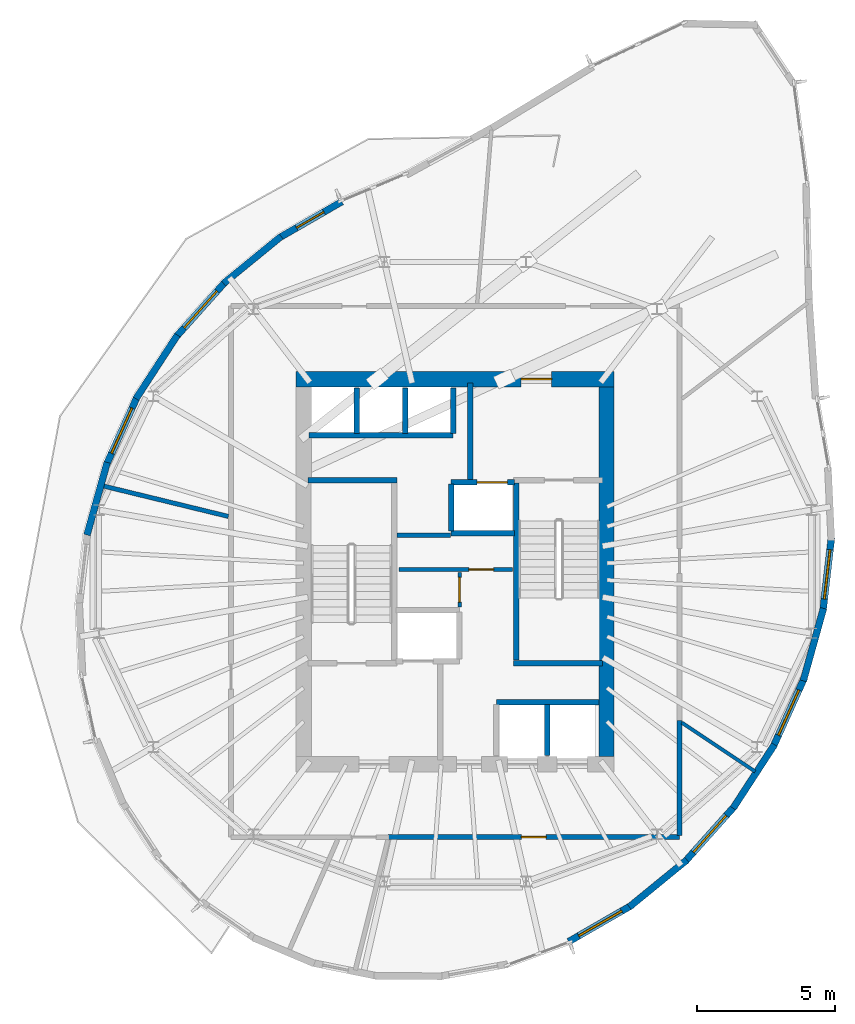
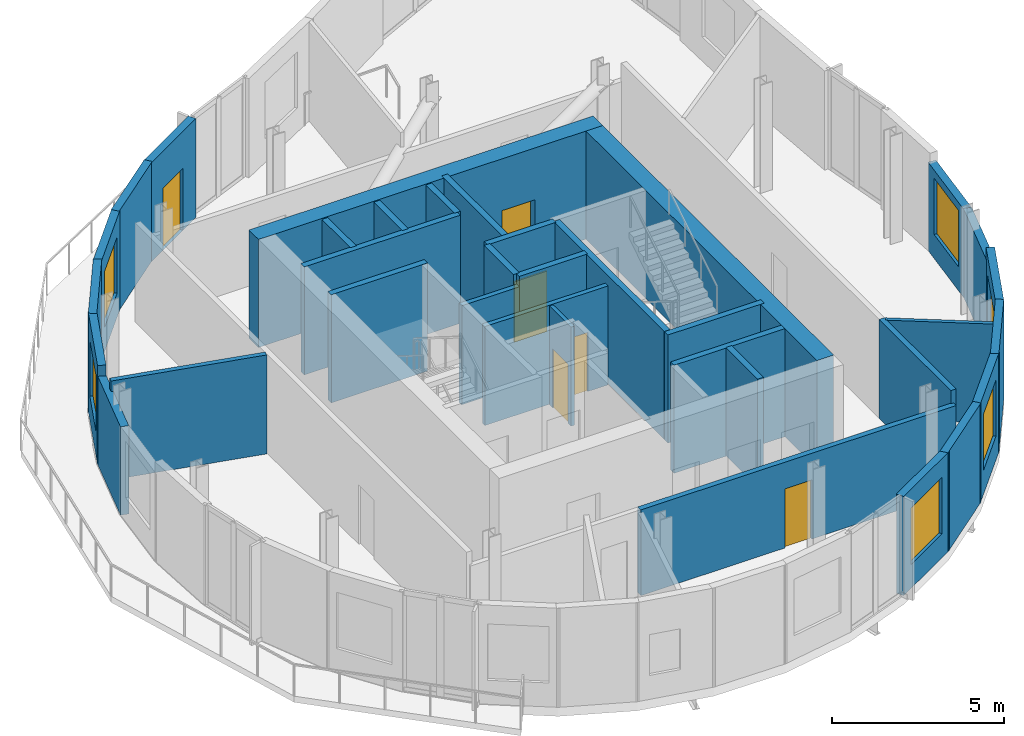
# One storey, part 5 of 8: 35 walls, 6 doors, 6 windows, 12 openings.
"""IFC4 building model written with IfcOpenShell, lengths in metres."""

from ifc_helpers import new_model, si_unit, direction, frame, frame_2d, origin, place, context, subcontext, project, spatial, rectangle, extrude, material, layer, layer_set, type_object, element, fill, save


model = new_model("IFC4")

# Units and contexts
model_context = context("Model", 3, precision=1e-05, world=origin(), true_north=direction((0.0, 1.0)))
body_context = subcontext(model_context, "Body", "Model", "MODEL_VIEW")
ifc_project = project(units=[si_unit("LENGTHUNIT", "METRE"), si_unit("AREAUNIT", "SQUARE_METRE"), si_unit("VOLUMEUNIT", "CUBIC_METRE"), si_unit("PLANEANGLEUNIT", "RADIAN"), si_unit("MASSUNIT", "GRAM", prefix="KILO")], contexts=[model_context])

# Site, building, storey
site_placement = place(None, origin())
site = spatial("IfcSite", under=ifc_project, at=site_placement, CompositionType="ELEMENT")
building_placement = place(site_placement, origin())
building = spatial("IfcBuilding", under=site, at=building_placement, Name="Veldorim Arch Residences", CompositionType="ELEMENT")
storey_placement = place(building_placement, frame((0.0, 0.0, 243.0400390625)))
storey = spatial("IfcBuildingStorey", under=building, at=storey_placement, Name="L73", CompositionType="ELEMENT", Elevation=243.0400390625)

# Wall, opening, door
ifc_material_1 = material(Name="Acoustic Gypsum Board", Category="gypsum")
ifc_layer_1 = layer(ifc_material_1, 0.125, Name="Acoustic Stud Room Partition Wall 125")
ifc_layer_set_1 = layer_set([ifc_layer_1], Name="Acoustic Gypsum Board")
wall_type_1 = type_object("IfcWallType", Name="Acoustic Stud Room Partition Wall 125", PredefinedType="PARTITIONING", material=ifc_layer_set_1)
wall_1_placement = place(storey_placement, frame((32.159912109375, 22.719970703125, 0.0), z_axis=(0.0, 0.0, 1.0), x_axis=(0.0, 1.0, 0.0)))
wall_1 = element("IfcWall", 1, at=wall_1_placement, inside=storey, type_object=wall_type_1, Name="L73 interior wall WL-CA-L73-2", PredefinedType="PARTITIONING", context=body_context, shape_type="SweptSolid", body=[
    extrude(rectangle(XDim=1.25, YDim=0.125, at=frame_2d((0.625, 0.0))), origin(), (0.0, 0.0, 1.0), 3.514892578125),
])
opening_1_placement = place(wall_1_placement, frame((0.169921875, 0.0, 0.0)))
opening_1 = element("IfcOpeningElement", 2, at=opening_1_placement, cuts=wall_1, Name="Opening DR-SVC", PredefinedType="OPENING", context=body_context, shape_type="SweptSolid", body=[
    extrude(rectangle(XDim=0.89990234375, YDim=2.10009765625, at=frame_2d((0.449951171875, 1.050048828125))), frame((0.0, 0.072509765625, 0.0), z_axis=(0.0, -1.0, 0.0), x_axis=(1.0, 0.0, 0.0)), (0.0, 0.0, 1.0), 0.14501953125),
])
ifc_material_2 = material(Name="Fire-Rated Steel", Category="steel")
door_type_1 = type_object("IfcDoorType", Name="Riser, Shelter & Plant Room Rated Steel Door 900x2100", OperationType="SINGLE_SWING_LEFT", PredefinedType="DOOR", material=ifc_material_2)
door_1_placement = place(opening_1_placement, origin())
door_1 = element("IfcDoor", 3, at=door_1_placement, inside=storey, type_object=door_type_1, Name="L73 interior door DR-L73-CA2", OperationType="SINGLE_SWING_RIGHT", OverallHeight=2.10009765625, OverallWidth=0.89990234375, PredefinedType="DOOR", context=body_context, shape_type="SweptSolid", body=[
    extrude(rectangle(XDim=0.89990234375, YDim=2.10009765625, at=frame_2d((0.449951171875, 1.050048828125))), frame((0.0, 0.02490234375, 0.0), z_axis=(0.0, -1.0, 0.0), x_axis=(1.0, 0.0, 0.0)), (0.0, 0.0, 1.0), 0.050048828125),
])
fill(opening_1, door_1)

# Wall
wall_2_placement = place(storey_placement, frame((40.233154296875, 18.51318359375, 0.0), z_axis=(0.0, 0.0, 1.0), x_axis=(0.832167333271, -0.554524597685, 0.0)))
element("IfcWall", 4, at=wall_2_placement, inside=storey, type_object=wall_type_1, Name="L73 interior wall WL-SKY-L73-012", PredefinedType="PARTITIONING", context=body_context, shape_type="SweptSolid", body=[
    extrude(rectangle(XDim=3.208740234375, YDim=0.125, at=frame_2d((1.6044921875, 0.0))), origin(), (0.0, 0.0, 1.0), 3.514892578125),
])

# Wall, opening, door
ifc_material_3 = material(Name="Lightweight Masonry Block & Gypsum", Category="masonry")
ifc_layer_2 = layer(ifc_material_3, 0.179931640625, Name="Compartment & Corridor Fire-Rated Party Wall 180")
ifc_layer_set_2 = layer_set([ifc_layer_2], Name="Lightweight Masonry Block & Gypsum")
wall_type_2 = type_object("IfcWallType", Name="Compartment & Corridor Fire-Rated Party Wall 180", PredefinedType="PARTITIONING", material=ifc_layer_set_2)
wall_3_placement = place(storey_placement, frame((40.14990234375, 14.35009765625, 0.0), z_axis=(0.0, 0.0, 1.0), x_axis=(-1.0, 0.0, 0.0)))
wall_3 = element("IfcWall", 5, at=wall_3_placement, inside=storey, type_object=wall_type_2, Name="L73 interior wall WL-SKY-L73-005", PredefinedType="PARTITIONING", context=body_context, shape_type="SweptSolid", body=[
    extrude(rectangle(XDim=10.5908203125, YDim=0.179931640625, at=frame_2d((5.29541015625, 0.0))), origin(), (0.0, 0.0, 1.0), 3.0478515625),
])
opening_2_placement = place(wall_3_placement, frame((4.845458984375, 0.0, 0.0)))
opening_2 = element("IfcOpeningElement", 6, at=opening_2_placement, cuts=wall_3, Name="Opening DR-INT", PredefinedType="OPENING", context=body_context, shape_type="SweptSolid", body=[
    extrude(rectangle(XDim=0.89990234375, YDim=2.10009765625, at=frame_2d((0.449951171875, 1.050048828125))), frame((0.0, 0.099853515625, 0.0), z_axis=(0.0, -1.0, 0.0), x_axis=(1.0, 0.0, 0.0)), (0.0, 0.0, 1.0), 0.199951171875),
])
ifc_material_4 = material(Name="Engineered Timber", Category="wood")
door_type_2 = type_object("IfcDoorType", Name="Apartment Internal Room Timber Door 900x2100", OperationType="SINGLE_SWING_LEFT", PredefinedType="DOOR", material=ifc_material_4)
door_2_placement = place(opening_2_placement, origin())
door_2 = element("IfcDoor", 7, at=door_2_placement, inside=storey, type_object=door_type_2, Name="L73 interior door DR-SKY-L73-004", OperationType="SINGLE_SWING_RIGHT", OverallHeight=2.10009765625, OverallWidth=0.89990234375, PredefinedType="DOOR", context=body_context, shape_type="SweptSolid", body=[
    extrude(rectangle(XDim=0.89990234375, YDim=2.10009765625, at=frame_2d((0.449951171875, 1.050048828125))), frame((0.0, 0.02490234375, 0.0), z_axis=(0.0, -1.0, 0.0), x_axis=(1.0, 0.0, 0.0)), (0.0, 0.0, 1.0), 0.050048828125),
])
fill(opening_2, door_2)

# Walls
wall_4_placement = place(storey_placement, frame((40.14990234375, 18.588623046875, 0.0), z_axis=(0.0, 0.0, 1.0), x_axis=(0.0, -1.0, 0.0)))
element("IfcWall", 8, at=wall_4_placement, inside=storey, type_object=wall_type_2, Name="L73 interior wall WL-SKY-L73-006", PredefinedType="PARTITIONING", context=body_context, shape_type="SweptSolid", body=[
    extrude(rectangle(XDim=4.1787109375, YDim=0.179931640625, at=frame_2d((2.08935546875, 0.0))), origin(), (0.0, 0.0, 1.0), 3.514892578125),
])
ifc_material_5 = material(Name="Concrete C50/60", Category="concrete")
ifc_layer_3 = layer(ifc_material_5, 0.199951171875, Name="Core Stair & Lift Shaft Enclosure Wall 200")
ifc_layer_set_3 = layer_set([ifc_layer_3], Name="Concrete C50/60")
wall_type_3 = type_object("IfcWallType", Name="Core Stair & Lift Shaft Enclosure Wall 200", PredefinedType="SHEAR", material=ifc_layer_set_3)
wall_5_placement = place(storey_placement, frame((26.64990234375, 27.330078125, 0.0), z_axis=(0.0, 0.0, 1.0), x_axis=(1.0, 0.0, 0.0)))
element("IfcWall", 9, at=wall_5_placement, inside=storey, type_object=wall_type_3, Name="L73 shaft wall WL-SHF-L73-ST1-N", PredefinedType="SHEAR", context=body_context, shape_type="SweptSolid", body=[
    extrude(rectangle(XDim=3.239990234375, YDim=0.199951171875, at=frame_2d((1.6201171875, 0.0))), origin(), (0.0, 0.0, 1.0), 3.83984375),
])
wall_6_placement = place(storey_placement, frame((34.2099609375, 20.780029296875, 0.0), z_axis=(0.0, 0.0, 1.0), x_axis=(0.0, 1.0, 0.0)))
element("IfcWall", 10, at=wall_6_placement, inside=storey, type_object=wall_type_3, Name="L73 shaft wall WL-SHF-L73-ST2-W", PredefinedType="SHEAR", context=body_context, shape_type="SweptSolid", body=[
    extrude(rectangle(XDim=6.43994140625, YDim=0.199951171875, at=frame_2d((3.219970703125, 0.0))), origin(), (0.0, 0.0, 1.0), 3.83984375),
])
wall_7_placement = place(storey_placement, frame((34.110107421875, 20.669921875, 0.0), z_axis=(0.0, 0.0, 1.0), x_axis=(1.0, 0.0, 0.0)))
element("IfcWall", 11, at=wall_7_placement, inside=storey, type_object=wall_type_3, Name="L73 shaft wall WL-SHF-L73-ST2-S", PredefinedType="SHEAR", context=body_context, shape_type="SweptSolid", body=[
    extrude(rectangle(XDim=3.239990234375, YDim=0.199951171875, at=frame_2d((1.6201171875, 0.0))), origin(), (0.0, 0.0, 1.0), 3.83984375),
])
wall_8_placement = place(storey_placement, frame((32.550048828125, 27.35009765625, 0.0), z_axis=(0.0, 0.0, 1.0), x_axis=(0.0, 1.0, 0.0)))
element("IfcWall", 12, at=wall_8_placement, inside=storey, type_object=wall_type_3, Name="L73 shaft wall WL-FFL2-L73-W", PredefinedType="SHEAR", context=body_context, shape_type="SweptSolid", body=[
    extrude(rectangle(XDim=3.5, YDim=0.199951171875, at=frame_2d((1.75, 0.0))), origin(), (0.0, 0.0, 1.0), 3.83984375),
])

# Wall, opening, door
wall_9_placement = place(storey_placement, frame((31.85009765625, 27.25, 0.0), z_axis=(0.0, 0.0, 1.0), x_axis=(1.0, 0.0, 0.0)))
wall_9 = element("IfcWall", 13, at=wall_9_placement, inside=storey, type_object=wall_type_3, Name="L73 shaft wall WL-FL02-L73-N", PredefinedType="SHEAR", context=body_context, shape_type="SweptSolid", body=[
    extrude(rectangle(XDim=2.2998046875, YDim=0.199951171875, at=frame_2d((1.14990234375, 0.0))), origin(), (0.0, 0.0, 1.0), 3.83984375),
])
opening_3_placement = place(wall_9_placement, frame((0.949951171875, 0.0, 0.0)))
opening_3 = element("IfcOpeningElement", 14, at=opening_3_placement, cuts=wall_9, Name="Opening LD-FF", PredefinedType="OPENING", context=body_context, shape_type="SweptSolid", body=[
    extrude(rectangle(XDim=1.10009765625, YDim=2.14990234375, at=frame_2d((0.550048828125, 1.074951171875))), frame((0.0, 0.10986328125, 0.0), z_axis=(0.0, -1.0, 0.0), x_axis=(1.0, 0.0, 0.0)), (0.0, 0.0, 1.0), 0.219970703125),
])
ifc_material_6 = material(Name="Stainless Steel", Category="steel")
door_type_3 = type_object("IfcDoorType", Name="Firefighting Lift Bi-Parting Sliding Landing Door 1100x2150", OperationType="DOUBLE_DOOR_SLIDING", PredefinedType="DOOR", material=ifc_material_6)
door_3_placement = place(opening_3_placement, origin())
door_3 = element("IfcDoor", 15, at=door_3_placement, inside=storey, type_object=door_type_3, Name="L73 lift landing door LD-L73-FL02", OperationType="DOUBLE_DOOR_SLIDING", OverallHeight=2.14990234375, OverallWidth=1.10009765625, PredefinedType="DOOR", context=body_context, shape_type="SweptSolid", body=[
    extrude(rectangle(XDim=1.10009765625, YDim=2.14990234375, at=frame_2d((0.550048828125, 1.074951171875))), frame((0.0, 0.02490234375, 0.0), z_axis=(0.0, -1.0, 0.0), x_axis=(1.0, 0.0, 0.0)), (0.0, 0.0, 1.0), 0.050048828125),
])
fill(opening_3, door_3)

# Walls
wall_10_placement = place(storey_placement, frame((31.85009765625, 25.39990234375, 0.0), z_axis=(0.0, 0.0, 1.0), x_axis=(1.0, 0.0, 0.0)))
element("IfcWall", 16, at=wall_10_placement, inside=storey, type_object=wall_type_3, Name="L73 shaft wall WL-FL02-L73-S", PredefinedType="SHEAR", context=body_context, shape_type="SweptSolid", body=[
    extrude(rectangle(XDim=2.2998046875, YDim=0.199951171875, at=frame_2d((1.14990234375, 0.0))), origin(), (0.0, 0.0, 1.0), 3.83984375),
])
wall_11_placement = place(storey_placement, frame((31.85009765625, 25.469970703125, 0.0), z_axis=(0.0, 0.0, 1.0), x_axis=(0.0, 1.0, 0.0)))
element("IfcWall", 17, at=wall_11_placement, inside=storey, type_object=wall_type_3, Name="L73 shaft wall WL-FL02-L73-W", PredefinedType="SHEAR", context=body_context, shape_type="SweptSolid", body=[
    extrude(rectangle(XDim=1.7099609375, YDim=0.199951171875, at=frame_2d((0.85498046875, 0.0))), origin(), (0.0, 0.0, 1.0), 3.83984375),
])
wall_12_placement = place(storey_placement, frame((26.679931640625, 28.949951171875, 0.0), z_axis=(0.0, 0.0, 1.0), x_axis=(1.0, 0.0, 0.0)))
element("IfcWall", 18, at=wall_12_placement, inside=storey, type_object=wall_type_3, Name="L73 shaft wall WL-B3-L73-S", PredefinedType="SHEAR", context=body_context, shape_type="SweptSolid", body=[
    extrude(rectangle(XDim=5.239990234375, YDim=0.199951171875, at=frame_2d((2.6201171875, 0.0))), origin(), (0.0, 0.0, 1.0), 3.83984375),
])
for number, where, z_axis, x_axis, name in (
    (19, (31.919921875, 29.02001953125, 0.0), (0.0, 0.0, 1.0), (0.0, 1.0, 0.0), "L73 shaft wall WL-B3-L73-E"),
    (20, (28.425048828125, 29.02001953125, 0.0), (0.0, 0.0, 1.0), (0.0, 1.0, 0.0), "L73 shaft wall WL-B3-L73-D1"),
    (21, (30.175048828125, 29.02001953125, 0.0), (0.0, 0.0, 1.0), (0.0, 1.0, 0.0), "L73 shaft wall WL-B3-L73-D2"),
):
    element("IfcWall", number, at=place(storey_placement, frame(where, z_axis=z_axis, x_axis=x_axis)), inside=storey, type_object=wall_type_3, Name=name, PredefinedType="SHEAR", context=body_context, shape_type="SweptSolid", body=[
        extrude(rectangle(XDim=1.659912109375, YDim=0.199951171875, at=frame_2d((0.830078125, 0.0))), origin(), (0.0, 0.0, 1.0), 3.83984375),
    ])
wall_13_placement = place(storey_placement, frame((33.5, 19.25, 0.0), z_axis=(0.0, 0.0, 1.0), x_axis=(1.0, 0.0, 0.0)))
element("IfcWall", 22, at=wall_13_placement, inside=storey, type_object=wall_type_3, Name="L73 shaft wall WL-OL-L73-N", PredefinedType="SHEAR", context=body_context, shape_type="SweptSolid", body=[
    extrude(rectangle(XDim=3.719970703125, YDim=0.199951171875, at=frame_2d((1.85986328125, 0.0))), origin(), (0.0, 0.0, 1.0), 3.83984375),
])
wall_14_placement = place(storey_placement, frame((35.35009765625, 17.320068359375, 0.0), z_axis=(0.0, 0.0, 1.0), x_axis=(0.0, 1.0, 0.0)))
element("IfcWall", 23, at=wall_14_placement, inside=storey, type_object=wall_type_3, Name="L73 shaft wall WL-OL-L73-D1", PredefinedType="SHEAR", context=body_context, shape_type="SweptSolid", body=[
    extrude(rectangle(XDim=1.85986328125, YDim=0.199951171875, at=frame_2d((0.929931640625, 0.0))), origin(), (0.0, 0.0, 1.0), 3.83984375),
])

# Wall, opening, door
ifc_material_7 = material(Name="Precast concrete C40/50", Category="concrete")
ifc_layer_4 = layer(ifc_material_7, 0.25, Name="Tower Terracotta Spandrel & Pier Wall 250")
ifc_layer_set_4 = layer_set([ifc_layer_4], Name="Precast concrete C40/50")
wall_type_4 = type_object("IfcWallType", Name="Tower Terracotta Spandrel & Pier Wall 250", PredefinedType="SOLIDWALL", material=ifc_layer_set_4)
wall_15_placement = place(storey_placement, frame((25.57958984375, 36.12548828125, 0.0), z_axis=(0.0, 0.0, 1.0), x_axis=(0.86612117946, 0.49983407496, 0.0)))
wall_15 = element("IfcWall", 24, at=wall_15_placement, inside=storey, type_object=wall_type_4, Name="L73 terracotta facade wall 06", PredefinedType="SOLIDWALL", context=body_context, shape_type="SweptSolid", body=[
    extrude(rectangle(XDim=2.65087890625, YDim=0.25, at=frame_2d((1.325439453125, 0.0))), origin(), (0.0, 0.0, 1.0), 3.52001953125),
])
opening_4_placement = place(wall_15_placement, frame((0.75, 0.0, 0.0)))
opening_4 = element("IfcOpeningElement", 25, at=opening_4_placement, cuts=wall_15, Name="Opening BL-DR", PredefinedType="OPENING", context=body_context, shape_type="SweptSolid", body=[
    extrude(rectangle(XDim=1.14990234375, YDim=2.199951171875, at=frame_2d((0.574951171875, 1.10009765625))), frame((0.0, 0.135009765625, 0.0), z_axis=(0.0, -1.0, 0.0), x_axis=(1.0, 0.0, 0.0)), (0.0, 0.0, 1.0), 0.27001953125),
])
ifc_material_8 = material(Name="Aluminium & Low-E Glass", Category="aluminium")
door_type_4 = type_object("IfcDoorType", Name="Glazed Planted Balcony Door 1150x2200", OperationType="SINGLE_SWING_LEFT", PredefinedType="DOOR", material=ifc_material_8)
door_4_placement = place(opening_4_placement, origin())
door_4 = element("IfcDoor", 26, at=door_4_placement, inside=storey, type_object=door_type_4, Name="L73 glazed outdoor terrace door BALC-1", OperationType="SINGLE_SWING_RIGHT", OverallHeight=2.199951171875, OverallWidth=1.14990234375, PredefinedType="DOOR", context=body_context, shape_type="SweptSolid", body=[
    extrude(rectangle(XDim=1.14990234375, YDim=2.199951171875, at=frame_2d((0.574951171875, 1.10009765625))), frame((0.0, 0.02490234375, 0.0), z_axis=(0.0, -1.0, 0.0), x_axis=(1.0, 0.0, 0.0)), (0.0, 0.0, 1.0), 0.050048828125),
])
fill(opening_4, door_4)

# Wall
wall_16_placement = place(storey_placement, frame((23.577880859375, 34.478515625, 0.0), z_axis=(0.0, 0.0, 1.0), x_axis=(0.774355745343, 0.632750487676, 0.0)))
element("IfcWall", 27, at=wall_16_placement, inside=storey, type_object=wall_type_4, Name="L73 terracotta facade wall 07", PredefinedType="SOLIDWALL", context=body_context, shape_type="SweptSolid", body=[
    extrude(rectangle(XDim=2.70166015625, YDim=0.25, at=frame_2d((1.350830078125, 0.0))), origin(), (0.0, 0.0, 1.0), 3.52001953125),
])

# Wall, opening, window
wall_17_placement = place(storey_placement, frame((21.83154296875, 32.512451171875, 0.0), z_axis=(0.0, 0.0, 1.0), x_axis=(0.666463852193, 0.745537345624, 0.0)))
wall_17 = element("IfcWall", 28, at=wall_17_placement, inside=storey, type_object=wall_type_4, Name="L73 terracotta facade wall 08", PredefinedType="SOLIDWALL", context=body_context, shape_type="SweptSolid", body=[
    extrude(rectangle(XDim=2.738525390625, YDim=0.25, at=frame_2d((1.369140625, 0.0))), origin(), (0.0, 0.0, 1.0), 3.52001953125),
])
opening_5_placement = place(wall_17_placement, frame((0.468994140625, 0.0, 0.85009765625)))
opening_5 = element("IfcOpeningElement", 29, at=opening_5_placement, cuts=wall_17, Name="Opening WN-04", PredefinedType="OPENING", context=body_context, shape_type="SweptSolid", body=[
    extrude(rectangle(XDim=1.800048828125, YDim=2.0, at=frame_2d((0.89990234375, 1.0))), frame((0.0, 0.135009765625, 0.0), z_axis=(0.0, -1.0, 0.0), x_axis=(1.0, 0.0, 0.0)), (0.0, 0.0, 1.0), 0.27001953125),
])
ifc_material_9 = material(Name="Laminated Low-E Glass", Category="glass")
window_type = type_object("IfcWindowType", Name="Sky Lounge Tall Picture Window 1800x1370", PartitioningType="SINGLE_PANEL", PredefinedType="WINDOW", material=ifc_material_9)
window_1_placement = place(opening_5_placement, origin())
window_1 = element("IfcWindow", 30, at=window_1_placement, inside=storey, type_object=window_type, Name="L73 solar-control facade window 08", OverallHeight=2.0, OverallWidth=1.800048828125, PartitioningType="SINGLE_PANEL", PredefinedType="WINDOW", context=body_context, shape_type="SweptSolid", body=[
    extrude(rectangle(XDim=1.800048828125, YDim=2.0, at=frame_2d((0.89990234375, 1.0))), frame((0.0, 0.030029296875, 0.0), z_axis=(0.0, -1.0, 0.0), x_axis=(1.0, 0.0, 0.0)), (0.0, 0.0, 1.0), 0.06005859375),
])
fill(opening_5, window_1)

# Wall
wall_18_placement = place(storey_placement, frame((20.39453125, 30.28662109375, 0.0), z_axis=(0.0, 0.0, 1.0), x_axis=(0.545041246002, 0.838409231913, 0.0)))
element("IfcWall", 31, at=wall_18_placement, inside=storey, type_object=wall_type_4, Name="L73 terracotta facade wall 09", PredefinedType="SOLIDWALL", context=body_context, shape_type="SweptSolid", body=[
    extrude(rectangle(XDim=2.7578125, YDim=0.25, at=frame_2d((1.37890625, 0.0))), origin(), (0.0, 0.0, 1.0), 3.52001953125),
])

# Wall, opening, window
wall_19_placement = place(storey_placement, frame((19.310302734375, 27.868896484375, 0.0), z_axis=(0.0, 0.0, 1.0), x_axis=(0.411961415151, 0.911201290839, 0.0)))
wall_19 = element("IfcWall", 32, at=wall_19_placement, inside=storey, type_object=wall_type_4, Name="L73 terracotta facade wall 10", PredefinedType="SOLIDWALL", context=body_context, shape_type="SweptSolid", body=[
    extrude(rectangle(XDim=2.758056640625, YDim=0.25, at=frame_2d((1.37890625, 0.0))), origin(), (0.0, 0.0, 1.0), 3.52001953125),
])
opening_6_placement = place(wall_19_placement, frame((0.47900390625, 0.0, 0.85009765625)))
opening_6 = element("IfcOpeningElement", 33, at=opening_6_placement, cuts=wall_19, Name="Opening WN-04", PredefinedType="OPENING", context=body_context, shape_type="SweptSolid", body=[
    extrude(rectangle(XDim=1.800048828125, YDim=2.0, at=frame_2d((0.89990234375, 1.0))), frame((0.0, 0.135009765625, 0.0), z_axis=(0.0, -1.0, 0.0), x_axis=(1.0, 0.0, 0.0)), (0.0, 0.0, 1.0), 0.27001953125),
])
window_2_placement = place(opening_6_placement, origin())
window_2 = element("IfcWindow", 34, at=window_2_placement, inside=storey, type_object=window_type, Name="L73 solar-control facade window 10", OverallHeight=2.0, OverallWidth=1.800048828125, PartitioningType="SINGLE_PANEL", PredefinedType="WINDOW", context=body_context, shape_type="SweptSolid", body=[
    extrude(rectangle(XDim=1.800048828125, YDim=2.0, at=frame_2d((0.89990234375, 1.0))), frame((0.0, 0.030029296875, 0.0), z_axis=(0.0, -1.0, 0.0), x_axis=(1.0, 0.0, 0.0)), (0.0, 0.0, 1.0), 0.06005859375),
])
fill(opening_6, window_2)

# Wall
wall_20_placement = place(storey_placement, frame((18.612548828125, 25.333251953125, 0.0), z_axis=(0.0, 0.0, 1.0), x_axis=(0.268356519564, 0.963319665743, 0.0)))
element("IfcWall", 35, at=wall_20_placement, inside=storey, type_object=wall_type_4, Name="L73 terracotta facade wall 11", PredefinedType="SOLIDWALL", context=body_context, shape_type="SweptSolid", body=[
    extrude(rectangle(XDim=2.73828125, YDim=0.25, at=frame_2d((1.369140625, 0.0))), origin(), (0.0, 0.0, 1.0), 3.136962890625),
])

# Wall, opening, window
wall_21_placement = place(storey_placement, frame((38.42041015625, 11.87451171875, 0.0), z_axis=(0.0, 0.0, 1.0), x_axis=(-0.86612117946, -0.49983407496, 0.0)))
wall_21 = element("IfcWall", 36, at=wall_21_placement, inside=storey, type_object=wall_type_4, Name="L73 terracotta facade wall 24", PredefinedType="SOLIDWALL", context=body_context, shape_type="SweptSolid", body=[
    extrude(rectangle(XDim=2.65087890625, YDim=0.25, at=frame_2d((1.325439453125, 0.0))), origin(), (0.0, 0.0, 1.0), 3.52001953125),
])
opening_7_placement = place(wall_21_placement, frame((0.425048828125, 0.0, 0.85009765625)))
opening_7 = element("IfcOpeningElement", 37, at=opening_7_placement, cuts=wall_21, Name="Opening WN-04", PredefinedType="OPENING", context=body_context, shape_type="SweptSolid", body=[
    extrude(rectangle(XDim=1.800048828125, YDim=2.0, at=frame_2d((0.89990234375, 1.0))), frame((0.0, 0.135009765625, 0.0), z_axis=(0.0, -1.0, 0.0), x_axis=(1.0, 0.0, 0.0)), (0.0, 0.0, 1.0), 0.27001953125),
])
window_3_placement = place(opening_7_placement, origin())
window_3 = element("IfcWindow", 38, at=window_3_placement, inside=storey, type_object=window_type, Name="L73 solar-control facade window 24", OverallHeight=2.0, OverallWidth=1.800048828125, PartitioningType="SINGLE_PANEL", PredefinedType="WINDOW", context=body_context, shape_type="SweptSolid", body=[
    extrude(rectangle(XDim=1.800048828125, YDim=2.0, at=frame_2d((0.89990234375, 1.0))), frame((0.0, 0.030029296875, 0.0), z_axis=(0.0, -1.0, 0.0), x_axis=(1.0, 0.0, 0.0)), (0.0, 0.0, 1.0), 0.06005859375),
])
fill(opening_7, window_3)

# Wall
wall_22_placement = place(storey_placement, frame((40.422119140625, 13.521484375, 0.0), z_axis=(0.0, 0.0, 1.0), x_axis=(-0.774355745343, -0.632750487676, 0.0)))
element("IfcWall", 39, at=wall_22_placement, inside=storey, type_object=wall_type_4, Name="L73 terracotta facade wall 25", PredefinedType="SOLIDWALL", context=body_context, shape_type="SweptSolid", body=[
    extrude(rectangle(XDim=2.70166015625, YDim=0.25, at=frame_2d((1.350830078125, 0.0))), origin(), (0.0, 0.0, 1.0), 3.52001953125),
])

# Wall, opening, window
wall_23_placement = place(storey_placement, frame((42.16845703125, 15.487548828125, 0.0), z_axis=(0.0, 0.0, 1.0), x_axis=(-0.666463852193, -0.745537345624, 0.0)))
wall_23 = element("IfcWall", 40, at=wall_23_placement, inside=storey, type_object=wall_type_4, Name="L73 terracotta facade wall 26", PredefinedType="SOLIDWALL", context=body_context, shape_type="SweptSolid", body=[
    extrude(rectangle(XDim=2.738525390625, YDim=0.25, at=frame_2d((1.369140625, 0.0))), origin(), (0.0, 0.0, 1.0), 3.52001953125),
])
opening_8_placement = place(wall_23_placement, frame((0.468994140625, 0.0, 0.85009765625)))
opening_8 = element("IfcOpeningElement", 41, at=opening_8_placement, cuts=wall_23, Name="Opening WN-04", PredefinedType="OPENING", context=body_context, shape_type="SweptSolid", body=[
    extrude(rectangle(XDim=1.800048828125, YDim=2.0, at=frame_2d((0.89990234375, 1.0))), frame((0.0, 0.135009765625, 0.0), z_axis=(0.0, -1.0, 0.0), x_axis=(1.0, 0.0, 0.0)), (0.0, 0.0, 1.0), 0.27001953125),
])
window_4_placement = place(opening_8_placement, origin())
window_4 = element("IfcWindow", 42, at=window_4_placement, inside=storey, type_object=window_type, Name="L73 solar-control facade window 26", OverallHeight=2.0, OverallWidth=1.800048828125, PartitioningType="SINGLE_PANEL", PredefinedType="WINDOW", context=body_context, shape_type="SweptSolid", body=[
    extrude(rectangle(XDim=1.800048828125, YDim=2.0, at=frame_2d((0.89990234375, 1.0))), frame((0.0, 0.030029296875, 0.0), z_axis=(0.0, -1.0, 0.0), x_axis=(1.0, 0.0, 0.0)), (0.0, 0.0, 1.0), 0.06005859375),
])
fill(opening_8, window_4)

# Wall
wall_24_placement = place(storey_placement, frame((43.60546875, 17.71337890625, 0.0), z_axis=(0.0, 0.0, 1.0), x_axis=(-0.545041246002, -0.838409231913, 0.0)))
element("IfcWall", 43, at=wall_24_placement, inside=storey, type_object=wall_type_4, Name="L73 terracotta facade wall 27", PredefinedType="SOLIDWALL", context=body_context, shape_type="SweptSolid", body=[
    extrude(rectangle(XDim=2.7578125, YDim=0.25, at=frame_2d((1.37890625, 0.0))), origin(), (0.0, 0.0, 1.0), 3.52001953125),
])

# Wall, opening, window
wall_25_placement = place(storey_placement, frame((44.689697265625, 20.131103515625, 0.0), z_axis=(0.0, 0.0, 1.0), x_axis=(-0.411961415151, -0.911201290839, 0.0)))
wall_25 = element("IfcWall", 44, at=wall_25_placement, inside=storey, type_object=wall_type_4, Name="L73 terracotta facade wall 28", PredefinedType="SOLIDWALL", context=body_context, shape_type="SweptSolid", body=[
    extrude(rectangle(XDim=2.758056640625, YDim=0.25, at=frame_2d((1.37890625, 0.0))), origin(), (0.0, 0.0, 1.0), 3.52001953125),
])
opening_9_placement = place(wall_25_placement, frame((0.47900390625, 0.0, 0.85009765625)))
opening_9 = element("IfcOpeningElement", 45, at=opening_9_placement, cuts=wall_25, Name="Opening WN-04", PredefinedType="OPENING", context=body_context, shape_type="SweptSolid", body=[
    extrude(rectangle(XDim=1.800048828125, YDim=2.0, at=frame_2d((0.89990234375, 1.0))), frame((0.0, 0.135009765625, 0.0), z_axis=(0.0, -1.0, 0.0), x_axis=(1.0, 0.0, 0.0)), (0.0, 0.0, 1.0), 0.27001953125),
])
window_5_placement = place(opening_9_placement, origin())
window_5 = element("IfcWindow", 46, at=window_5_placement, inside=storey, type_object=window_type, Name="L73 solar-control facade window 28", OverallHeight=2.0, OverallWidth=1.800048828125, PartitioningType="SINGLE_PANEL", PredefinedType="WINDOW", context=body_context, shape_type="SweptSolid", body=[
    extrude(rectangle(XDim=1.800048828125, YDim=2.0, at=frame_2d((0.89990234375, 1.0))), frame((0.0, 0.030029296875, 0.0), z_axis=(0.0, -1.0, 0.0), x_axis=(1.0, 0.0, 0.0)), (0.0, 0.0, 1.0), 0.06005859375),
])
fill(opening_9, window_5)

# Wall
wall_26_placement = place(storey_placement, frame((45.387451171875, 22.666748046875, 0.0), z_axis=(0.0, 0.0, 1.0), x_axis=(-0.268356519564, -0.963319665743, 0.0)))
element("IfcWall", 47, at=wall_26_placement, inside=storey, type_object=wall_type_4, Name="L73 terracotta facade wall 29", PredefinedType="SOLIDWALL", context=body_context, shape_type="SweptSolid", body=[
    extrude(rectangle(XDim=2.73828125, YDim=0.25, at=frame_2d((1.369140625, 0.0))), origin(), (0.0, 0.0, 1.0), 3.136962890625),
])

# Wall, opening, window
wall_27_placement = place(storey_placement, frame((45.677490234375, 25.243408203125, 0.0), z_axis=(0.0, 0.0, 1.0), x_axis=(-0.115121415392, -0.993351428105, 0.0)))
wall_27 = element("IfcWall", 48, at=wall_27_placement, inside=storey, type_object=wall_type_4, Name="L73 terracotta facade wall 30", PredefinedType="SOLIDWALL", context=body_context, shape_type="SweptSolid", body=[
    extrude(rectangle(XDim=2.701904296875, YDim=0.25, at=frame_2d((1.35107421875, 0.0))), origin(), (0.0, 0.0, 1.0), 3.136962890625),
])
opening_10_placement = place(wall_27_placement, frame((0.450927734375, 0.0, 0.85009765625)))
opening_10 = element("IfcOpeningElement", 49, at=opening_10_placement, cuts=wall_27, Name="Opening WN-04", PredefinedType="OPENING", context=body_context, shape_type="SweptSolid", body=[
    extrude(rectangle(XDim=1.800048828125, YDim=2.0, at=frame_2d((0.89990234375, 1.0))), frame((0.0, 0.135009765625, 0.0), z_axis=(0.0, -1.0, 0.0), x_axis=(1.0, 0.0, 0.0)), (0.0, 0.0, 1.0), 0.27001953125),
])
window_6_placement = place(opening_10_placement, origin())
window_6 = element("IfcWindow", 50, at=window_6_placement, inside=storey, type_object=window_type, Name="L73 solar-control facade window 30", OverallHeight=2.0, OverallWidth=1.800048828125, PartitioningType="SINGLE_PANEL", PredefinedType="WINDOW", context=body_context, shape_type="SweptSolid", body=[
    extrude(rectangle(XDim=1.800048828125, YDim=2.0, at=frame_2d((0.89990234375, 1.0))), frame((0.0, 0.030029296875, 0.0), z_axis=(0.0, -1.0, 0.0), x_axis=(1.0, 0.0, 0.0)), (0.0, 0.0, 1.0), 0.06005859375),
])
fill(opening_10, window_6)

# Wall, opening, door
ifc_material_10 = material(Name="Concrete C50/60", Category="concrete")
ifc_layer_5 = layer(ifc_material_10, 0.5, Name="Upper Central Core Shear Wall 560")
ifc_layer_set_5 = layer_set([ifc_layer_5], Name="Concrete C50/60")
wall_type_5 = type_object("IfcWallType", Name="Upper Central Core Shear Wall 560", PredefinedType="SHEAR", material=ifc_layer_set_5)
wall_28_placement = place(storey_placement, frame((26.219970703125, 31.0, 0.0), z_axis=(0.0, 0.0, 1.0), x_axis=(1.0, 0.0, 0.0)))
wall_28 = element("IfcWall", 51, at=wall_28_placement, inside=storey, type_object=wall_type_5, Name="L73 central core north shear wall", PredefinedType="SHEAR", context=body_context, shape_type="SweptSolid", body=[
    extrude(rectangle(XDim=11.56005859375, YDim=0.56005859375, at=frame_2d((5.780029296875, 0.0))), origin(), (0.0, 0.0, 1.0), 3.83984375),
])
opening_11_placement = place(wall_28_placement, frame((8.179931640625, 0.0, 0.0)))
opening_11 = element("IfcOpeningElement", 52, at=opening_11_placement, cuts=wall_28, Name="Opening DR-FFL2", PredefinedType="OPENING", context=body_context, shape_type="SweptSolid", body=[
    extrude(rectangle(XDim=1.10009765625, YDim=2.0, at=frame_2d((0.550048828125, 1.0))), frame((0.0, 0.2900390625, 0.0), z_axis=(0.0, -1.0, 0.0), x_axis=(1.0, 0.0, 0.0)), (0.0, 0.0, 1.0), 0.580078125),
])
ifc_material_11 = material(Name="Fire-Rated Steel & Vision Glass", Category="steel")
door_type_5 = type_object("IfcDoorType", Name="Firefighting Lobby Low-Soffit Fire Door 1100x2000", OperationType="SINGLE_SWING_LEFT", PredefinedType="DOOR", material=ifc_material_11)
door_5_placement = place(opening_11_placement, origin())
door_5 = element("IfcDoor", 53, at=door_5_placement, inside=storey, type_object=door_type_5, Name="L73 interior door DR-L73-FFL2", OperationType="SINGLE_SWING_LEFT", OverallHeight=2.0, OverallWidth=1.10009765625, PredefinedType="DOOR", context=body_context, shape_type="SweptSolid", body=[
    extrude(rectangle(XDim=1.10009765625, YDim=2.0, at=frame_2d((0.550048828125, 1.0))), frame((0.0, 0.02490234375, 0.0), z_axis=(0.0, -1.0, 0.0), x_axis=(1.0, 0.0, 0.0)), (0.0, 0.0, 1.0), 0.050048828125),
])
fill(opening_11, door_5)

# Wall
wall_29_placement = place(storey_placement, frame((37.5, 17.280029296875, 0.0), z_axis=(0.0, 0.0, 1.0), x_axis=(0.0, 1.0, 0.0)))
element("IfcWall", 54, at=wall_29_placement, inside=storey, type_object=wall_type_5, Name="L73 central core east shear wall", PredefinedType="SHEAR", context=body_context, shape_type="SweptSolid", body=[
    extrude(rectangle(XDim=13.43994140625, YDim=0.56005859375, at=frame_2d((6.719970703125, 0.0))), origin(), (0.0, 0.0, 1.0), 3.83984375),
])

# Wall, opening, door
ifc_material_12 = material(Name="Moisture-Resistant Gypsum & Stud", Category="gypsum")
ifc_layer_6 = layer(ifc_material_12, 0.159912109375, Name="Wet-Area Moisture-Resistant Plumbing Wall 160")
ifc_layer_set_6 = layer_set([ifc_layer_6], Name="Moisture-Resistant Gypsum & Stud")
wall_type_6 = type_object("IfcWallType", Name="Wet-Area Moisture-Resistant Plumbing Wall 160", PredefinedType="PLUMBINGWALL", material=ifc_layer_set_6)
wall_30_placement = place(storey_placement, frame((29.949951171875, 24.080078125, 0.0), z_axis=(0.0, 0.0, 1.0), x_axis=(1.0, 0.0, 0.0)))
wall_30 = element("IfcWall", 55, at=wall_30_placement, inside=storey, type_object=wall_type_6, Name="L73 interior wall WL-CA-L73-1", PredefinedType="PLUMBINGWALL", context=body_context, shape_type="SweptSolid", body=[
    extrude(rectangle(XDim=4.130126953125, YDim=0.159912109375, at=frame_2d((2.06494140625, 0.0))), origin(), (0.0, 0.0, 1.0), 3.514892578125),
])
opening_12_placement = place(wall_30_placement, frame((2.550048828125, 0.0, 0.0)))
opening_12 = element("IfcOpeningElement", 56, at=opening_12_placement, cuts=wall_30, Name="Opening DR-WC", PredefinedType="OPENING", context=body_context, shape_type="SweptSolid", body=[
    extrude(rectangle(XDim=0.89990234375, YDim=2.10009765625, at=frame_2d((0.449951171875, 1.050048828125))), frame((0.0, 0.08984375, 0.0), z_axis=(0.0, -1.0, 0.0), x_axis=(1.0, 0.0, 0.0)), (0.0, 0.0, 1.0), 0.179931640625),
])
ifc_material_13 = material(Name="Laminate Timber", Category="wood")
door_type_6 = type_object("IfcDoorType", Name="Bathroom & Accessible WC Moisture-Sealed Door 900x2100", OperationType="SINGLE_SWING_LEFT", PredefinedType="DOOR", material=ifc_material_13)
door_6_placement = place(opening_12_placement, origin())
door_6 = element("IfcDoor", 57, at=door_6_placement, inside=storey, type_object=door_type_6, Name="L73 interior door DR-L73-CA1", OperationType="SINGLE_SWING_LEFT", OverallHeight=2.10009765625, OverallWidth=0.89990234375, PredefinedType="DOOR", context=body_context, shape_type="SweptSolid", body=[
    extrude(rectangle(XDim=0.89990234375, YDim=2.10009765625, at=frame_2d((0.449951171875, 1.050048828125))), frame((0.0, 0.02490234375, 0.0), z_axis=(0.0, -1.0, 0.0), x_axis=(1.0, 0.0, 0.0)), (0.0, 0.0, 1.0), 0.050048828125),
])
fill(opening_12, door_6)

# Walls
wall_31_placement = place(storey_placement, frame((29.889892578125, 25.330078125, 0.0), z_axis=(0.0, 0.0, 1.0), x_axis=(1.0, 0.0, 0.0)))
element("IfcWall", 58, at=wall_31_placement, inside=storey, type_object=wall_type_6, Name="L73 interior wall WL-CA-L73-N", PredefinedType="PLUMBINGWALL", context=body_context, shape_type="SweptSolid", body=[
    extrude(rectangle(XDim=1.940185546875, YDim=0.159912109375, at=frame_2d((0.97021484375, 0.0))), origin(), (0.0, 0.0, 1.0), 3.514892578125),
])
wall_32_placement = place(storey_placement, frame((23.752685546875, 26.00732421875, 0.0), z_axis=(0.0, 0.0, 1.0), x_axis=(-0.971624549103, 0.236528509024, 0.0)))
element("IfcWall", 59, at=wall_32_placement, inside=storey, type_object=wall_type_6, Name="L73 interior wall WL-SKY-L73-009", PredefinedType="PLUMBINGWALL", context=body_context, shape_type="SweptSolid", body=[
    extrude(rectangle(XDim=4.718017578125, YDim=0.159912109375, at=frame_2d((2.35888671875, 0.0))), origin(), (0.0, 0.0, 1.0), 3.514892578125),
])

save(model, "model.ifc")
